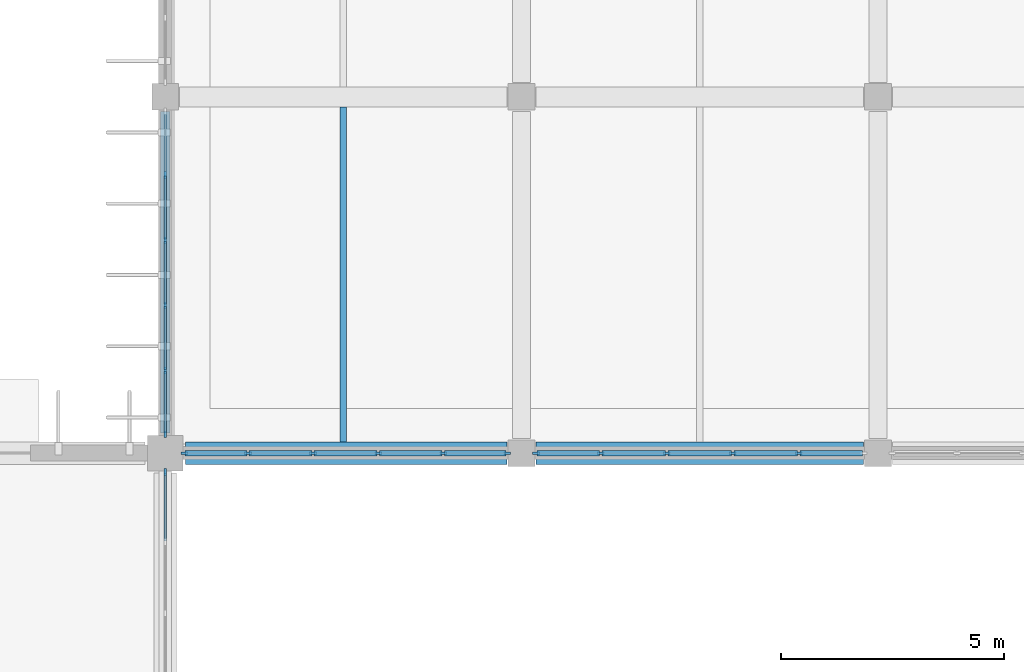
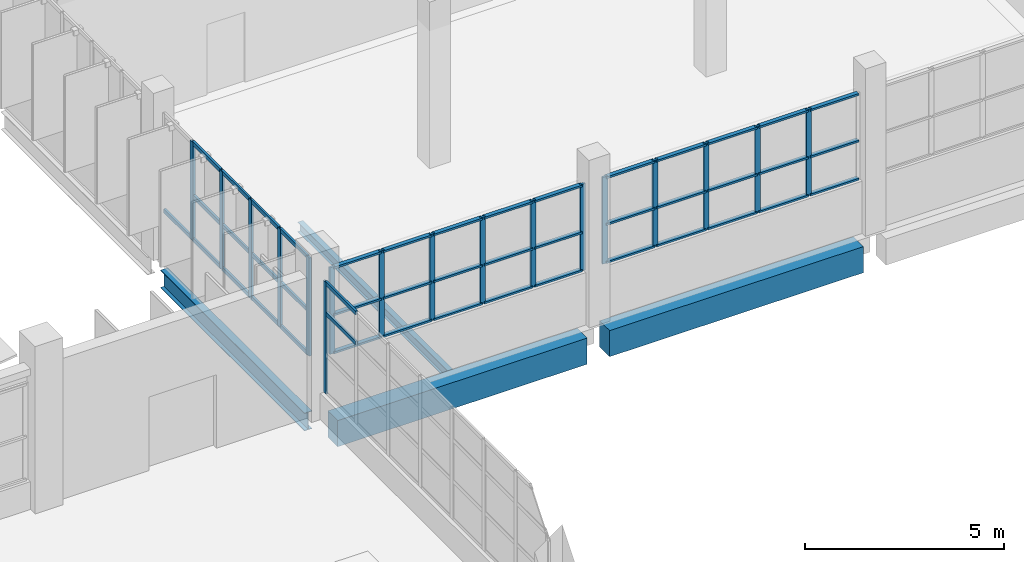
# One storey, part 34 of 103: 62 members, 4 beams, 4 elements without a shape of their own.
"""IFC4 building model written with IfcOpenShell, lengths in metres."""

from ifc_helpers import new_model, si_unit, direction, frame, origin, origin_2d, place, context, subcontext, project, spatial, rectangle, i_section, extrude, material, layer, layer_set, material_profile, profile_set, type_object, element, aggregate, save


model = new_model("IFC4")

# Units and contexts
model_context = context("Model", 3, precision=1e-05, world=origin(), true_north=direction((0.0, 1.0)))
body_context = subcontext(model_context, "Body", "Model", "MODEL_VIEW")
ifc_project = project(units=[si_unit("LENGTHUNIT", "METRE"), si_unit("AREAUNIT", "SQUARE_METRE"), si_unit("VOLUMEUNIT", "CUBIC_METRE"), si_unit("PLANEANGLEUNIT", "RADIAN"), si_unit("MASSUNIT", "GRAM", prefix="KILO")], contexts=[model_context])

# Site, building, storey
site_placement = place(None, origin())
site = spatial("IfcSite", under=ifc_project, at=site_placement, CompositionType="ELEMENT")
building_placement = place(site_placement, origin())
building = spatial("IfcBuilding", under=site, at=building_placement, Name="Drelvana Railside Aquatics Centre", CompositionType="ELEMENT")
storey_placement = place(building_placement, origin())
storey = spatial("IfcBuildingStorey", under=building, at=storey_placement, Name="L00", CompositionType="ELEMENT", Elevation=0.0)

# Curtain wall, member
ifc_material_1 = material(Name="Bronze-anodised aluminium curtain wall", Category="aluminium")
ifc_layer = layer(ifc_material_1, 0.1650390625, Name="Bronze-anodised aluminium curtain wall")
ifc_layer_set = layer_set([ifc_layer], Name="Bronze-anodised aluminium curtain wall")
curtain_wall_type = type_object("IfcCurtainWallType", Name="CW-Z5-COURT", PredefinedType="NOTDEFINED", material=ifc_layer_set)
curtain_wall_1_placement = place(storey_placement, origin())
curtain_wall_1 = element("IfcCurtainWall", 1, at=curtain_wall_1_placement, inside=storey, type_object=curtain_wall_type, Name="Curtain wall CW-05-078", PredefinedType="NOTDEFINED")
ifc_material_2 = material(Name="Bronze-anodised aluminium 6063-T6", Category="aluminium")
ifc_material_profile_1 = material_profile(ifc_material_2, rectangle(XDim=0.06005859375, YDim=0.14990234375, at=origin_2d()), Name="ALU-M 60x150")
ifc_profile_set_1 = profile_set([ifc_material_profile_1], Name="Bronze-anodised aluminium 6063-T6")
member_type_1 = type_object("IfcMemberType", Name="CW-Z5-COURT-MUL", PredefinedType="MULLION", material=ifc_profile_set_1)
member_1_placement = place(storey_placement, frame((96.0, 83.575927734375, 0.7939453125), z_axis=(0.0, 0.0, 1.0), x_axis=(-1.0, 0.0, 0.0)))
member_1 = element("IfcMember", 2, at=member_1_placement, type_object=member_type_1, Name="CW-05 mullion 8", PredefinedType="MULLION", context=body_context, shape_type="SweptSolid", body=[
    extrude(rectangle(XDim=0.06005859375, YDim=0.14990234375, at=origin_2d()), origin(), (0.0, 0.0, 1.0), 3.4111328125),
])

# Curtain wall, members
curtain_wall_2_placement = place(storey_placement, origin())
curtain_wall_2 = element("IfcCurtainWall", 3, at=curtain_wall_2_placement, inside=storey, type_object=curtain_wall_type, Name="Curtain wall CW-05-115", PredefinedType="NOTDEFINED")
member_2_placement = place(storey_placement, frame((96.424072265625, 84.0, 1.593994140625), z_axis=(0.0, 0.0, 1.0), x_axis=(0.0, 1.0, 0.0)))
member_2 = element("IfcMember", 4, at=member_2_placement, type_object=member_type_1, Name="CW-05 mullion 1", PredefinedType="MULLION", context=body_context, shape_type="SweptSolid", body=[
    extrude(rectangle(XDim=0.06005859375, YDim=0.14990234375, at=origin_2d()), origin(), (0.0, 0.0, 1.0), 2.656005859375),
])
member_3_placement = place(storey_placement, frame((97.8564453125, 84.0, 1.593994140625), z_axis=(0.0, 0.0, 1.0), x_axis=(0.0, 1.0, 0.0)))
member_3 = element("IfcMember", 5, at=member_3_placement, type_object=member_type_1, Name="CW-05 mullion 2", PredefinedType="MULLION", context=body_context, shape_type="SweptSolid", body=[
    extrude(rectangle(XDim=0.06005859375, YDim=0.14990234375, at=origin_2d()), origin(), (0.0, 0.0, 1.0), 2.656005859375),
])
member_4_placement = place(storey_placement, frame((99.31884765625, 84.0, 1.593994140625), z_axis=(0.0, 0.0, 1.0), x_axis=(0.0, 1.0, 0.0)))
member_4 = element("IfcMember", 6, at=member_4_placement, type_object=member_type_1, Name="CW-05 mullion 3", PredefinedType="MULLION", context=body_context, shape_type="SweptSolid", body=[
    extrude(rectangle(XDim=0.06005859375, YDim=0.14990234375, at=origin_2d()), origin(), (0.0, 0.0, 1.0), 2.656005859375),
])
member_5_placement = place(storey_placement, frame((100.78125, 84.0, 1.593994140625), z_axis=(0.0, 0.0, 1.0), x_axis=(0.0, 1.0, 0.0)))
member_5 = element("IfcMember", 7, at=member_5_placement, type_object=member_type_1, Name="CW-05 mullion 4", PredefinedType="MULLION", context=body_context, shape_type="SweptSolid", body=[
    extrude(rectangle(XDim=0.06005859375, YDim=0.14990234375, at=origin_2d()), origin(), (0.0, 0.0, 1.0), 2.656005859375),
])
member_6_placement = place(storey_placement, frame((102.24365234375, 84.0, 1.593994140625), z_axis=(0.0, 0.0, 1.0), x_axis=(0.0, 1.0, 0.0)))
member_6 = element("IfcMember", 8, at=member_6_placement, type_object=member_type_1, Name="CW-05 mullion 5", PredefinedType="MULLION", context=body_context, shape_type="SweptSolid", body=[
    extrude(rectangle(XDim=0.06005859375, YDim=0.14990234375, at=origin_2d()), origin(), (0.0, 0.0, 1.0), 2.656005859375),
])
member_7_placement = place(storey_placement, frame((103.676025390625, 84.0, 1.593994140625), z_axis=(0.0, 0.0, 1.0), x_axis=(0.0, 1.0, 0.0)))
member_7 = element("IfcMember", 9, at=member_7_placement, type_object=member_type_1, Name="CW-05 mullion 6", PredefinedType="MULLION", context=body_context, shape_type="SweptSolid", body=[
    extrude(rectangle(XDim=0.06005859375, YDim=0.14990234375, at=origin_2d()), origin(), (0.0, 0.0, 1.0), 2.656005859375),
])

curtain_wall_3_placement = place(storey_placement, origin())
curtain_wall_3 = element("IfcCurtainWall", 10, at=curtain_wall_3_placement, inside=storey, type_object=curtain_wall_type, Name="Curtain wall CW-05-117", PredefinedType="NOTDEFINED")
member_8_placement = place(storey_placement, frame((104.323974609375, 84.0, 1.593994140625), z_axis=(0.0, 0.0, 1.0), x_axis=(0.0, 1.0, 0.0)))
member_8 = element("IfcMember", 11, at=member_8_placement, type_object=member_type_1, Name="CW-05 mullion 1", PredefinedType="MULLION", context=body_context, shape_type="SweptSolid", body=[
    extrude(rectangle(XDim=0.06005859375, YDim=0.14990234375, at=origin_2d()), origin(), (0.0, 0.0, 1.0), 2.656005859375),
])
member_9_placement = place(storey_placement, frame((105.7763671875, 84.0, 1.593994140625), z_axis=(0.0, 0.0, 1.0), x_axis=(0.0, 1.0, 0.0)))
member_9 = element("IfcMember", 12, at=member_9_placement, type_object=member_type_1, Name="CW-05 mullion 2", PredefinedType="MULLION", context=body_context, shape_type="SweptSolid", body=[
    extrude(rectangle(XDim=0.06005859375, YDim=0.14990234375, at=origin_2d()), origin(), (0.0, 0.0, 1.0), 2.656005859375),
])
member_10_placement = place(storey_placement, frame((107.2587890625, 84.0, 1.593994140625), z_axis=(0.0, 0.0, 1.0), x_axis=(0.0, 1.0, 0.0)))
member_10 = element("IfcMember", 13, at=member_10_placement, type_object=member_type_1, Name="CW-05 mullion 3", PredefinedType="MULLION", context=body_context, shape_type="SweptSolid", body=[
    extrude(rectangle(XDim=0.06005859375, YDim=0.14990234375, at=origin_2d()), origin(), (0.0, 0.0, 1.0), 2.656005859375),
])
member_11_placement = place(storey_placement, frame((108.7412109375, 84.0, 1.593994140625), z_axis=(0.0, 0.0, 1.0), x_axis=(0.0, 1.0, 0.0)))
member_11 = element("IfcMember", 14, at=member_11_placement, type_object=member_type_1, Name="CW-05 mullion 4", PredefinedType="MULLION", context=body_context, shape_type="SweptSolid", body=[
    extrude(rectangle(XDim=0.06005859375, YDim=0.14990234375, at=origin_2d()), origin(), (0.0, 0.0, 1.0), 2.656005859375),
])
member_12_placement = place(storey_placement, frame((110.2236328125, 84.0, 1.593994140625), z_axis=(0.0, 0.0, 1.0), x_axis=(0.0, 1.0, 0.0)))
member_12 = element("IfcMember", 15, at=member_12_placement, type_object=member_type_1, Name="CW-05 mullion 5", PredefinedType="MULLION", context=body_context, shape_type="SweptSolid", body=[
    extrude(rectangle(XDim=0.06005859375, YDim=0.14990234375, at=origin_2d()), origin(), (0.0, 0.0, 1.0), 2.656005859375),
])

curtain_wall_4_placement = place(storey_placement, origin())
curtain_wall_4 = element("IfcCurtainWall", 16, at=curtain_wall_4_placement, inside=storey, type_object=curtain_wall_type, Name="Curtain wall CW-05-127", PredefinedType="NOTDEFINED")
member_13_placement = place(storey_placement, frame((96.0, 84.424072265625, 1.444091796875), z_axis=(0.0, 0.0, 1.0), x_axis=(-1.0, 0.0, 0.0)))
member_13 = element("IfcMember", 17, at=member_13_placement, type_object=member_type_1, Name="CW-05 mullion 1", PredefinedType="MULLION", context=body_context, shape_type="SweptSolid", body=[
    extrude(rectangle(XDim=0.06005859375, YDim=0.14990234375, at=origin_2d()), origin(), (0.0, 0.0, 1.0), 3.005859375),
])
member_14_placement = place(storey_placement, frame((96.0, 85.8564453125, 1.444091796875), z_axis=(0.0, 0.0, 1.0), x_axis=(-1.0, 0.0, 0.0)))
member_14 = element("IfcMember", 18, at=member_14_placement, type_object=member_type_1, Name="CW-05 mullion 2", PredefinedType="MULLION", context=body_context, shape_type="SweptSolid", body=[
    extrude(rectangle(XDim=0.06005859375, YDim=0.14990234375, at=origin_2d()), origin(), (0.0, 0.0, 1.0), 3.005859375),
])
member_15_placement = place(storey_placement, frame((96.0, 87.31884765625, 1.444091796875), z_axis=(0.0, 0.0, 1.0), x_axis=(-1.0, 0.0, 0.0)))
member_15 = element("IfcMember", 19, at=member_15_placement, type_object=member_type_1, Name="CW-05 mullion 3", PredefinedType="MULLION", context=body_context, shape_type="SweptSolid", body=[
    extrude(rectangle(XDim=0.06005859375, YDim=0.14990234375, at=origin_2d()), origin(), (0.0, 0.0, 1.0), 3.005859375),
])
member_16_placement = place(storey_placement, frame((96.0, 88.78125, 1.444091796875), z_axis=(0.0, 0.0, 1.0), x_axis=(-1.0, 0.0, 0.0)))
member_16 = element("IfcMember", 20, at=member_16_placement, type_object=member_type_1, Name="CW-05 mullion 4", PredefinedType="MULLION", context=body_context, shape_type="SweptSolid", body=[
    extrude(rectangle(XDim=0.06005859375, YDim=0.14990234375, at=origin_2d()), origin(), (0.0, 0.0, 1.0), 3.005859375),
])
member_17_placement = place(storey_placement, frame((96.0, 90.24365234375, 1.444091796875), z_axis=(0.0, 0.0, 1.0), x_axis=(-1.0, 0.0, 0.0)))
member_17 = element("IfcMember", 21, at=member_17_placement, type_object=member_type_1, Name="CW-05 mullion 5", PredefinedType="MULLION", context=body_context, shape_type="SweptSolid", body=[
    extrude(rectangle(XDim=0.06005859375, YDim=0.14990234375, at=origin_2d()), origin(), (0.0, 0.0, 1.0), 3.005859375),
])

# Member
ifc_material_profile_2 = material_profile(ifc_material_2, rectangle(XDim=0.1201171875, YDim=0.06005859375, at=origin_2d()), Name="ALU-T 60x120")
ifc_profile_set_2 = profile_set([ifc_material_profile_2], Name="Bronze-anodised aluminium 6063-T6")
member_type_2 = type_object("IfcMemberType", Name="CW-Z5-COURT-TRN", PredefinedType="USERDEFINED", material=ifc_profile_set_2)
member_18_placement = place(storey_placement, frame((96.0, 82.029296875, 3.25), z_axis=(0.0, 1.0, 0.0), x_axis=(0.0, 0.0, 1.0)))
member_18 = element("IfcMember", 22, at=member_18_placement, type_object=member_type_2, Name="CW-05 transom 7.3", ObjectType="TRANSOM", PredefinedType="USERDEFINED", context=body_context, shape_type="SweptSolid", body=[
    extrude(rectangle(XDim=0.1201171875, YDim=0.06005859375, at=origin_2d()), origin(), (0.0, 0.0, 1.0), 1.521728515625),
])

member_19_placement = place(storey_placement, frame((96.0, 82.029296875, 4.175048828125), z_axis=(0.0, 1.0, 0.0), x_axis=(0.0, 0.0, 1.0)))
member_19 = element("IfcMember", 23, at=member_19_placement, type_object=member_type_2, Name="CW-05 transom 7.4", ObjectType="TRANSOM", PredefinedType="USERDEFINED", context=body_context, shape_type="SweptSolid", body=[
    extrude(rectangle(XDim=0.1201171875, YDim=0.06005859375, at=origin_2d()), origin(), (0.0, 0.0, 1.0), 1.521728515625),
])

aggregate(curtain_wall_1, [member_1, member_18, member_19])

member_20_placement = place(storey_placement, frame((96.448974609375, 84.0, 1.6240234375), z_axis=(1.0, 0.0, 0.0), x_axis=(0.0, 1.0, 0.0)))
member_20 = element("IfcMember", 24, at=member_20_placement, type_object=member_type_2, Name="CW-05 transom 1.1", ObjectType="TRANSOM", PredefinedType="USERDEFINED", context=body_context, shape_type="SweptSolid", body=[
    extrude(rectangle(XDim=0.1201171875, YDim=0.06005859375, at=origin_2d()), origin(), (0.0, 0.0, 1.0), 1.38232421875),
])

member_21_placement = place(storey_placement, frame((96.448974609375, 84.0, 2.7890625), z_axis=(1.0, 0.0, 0.0), x_axis=(0.0, 1.0, 0.0)))
member_21 = element("IfcMember", 25, at=member_21_placement, type_object=member_type_2, Name="CW-05 transom 1.2", ObjectType="TRANSOM", PredefinedType="USERDEFINED", context=body_context, shape_type="SweptSolid", body=[
    extrude(rectangle(XDim=0.1201171875, YDim=0.06005859375, at=origin_2d()), origin(), (0.0, 0.0, 1.0), 1.38232421875),
])

member_22_placement = place(storey_placement, frame((96.448974609375, 84.0, 4.219970703125), z_axis=(1.0, 0.0, 0.0), x_axis=(0.0, 1.0, 0.0)))
member_22 = element("IfcMember", 26, at=member_22_placement, type_object=member_type_2, Name="CW-05 transom 1.3", ObjectType="TRANSOM", PredefinedType="USERDEFINED", context=body_context, shape_type="SweptSolid", body=[
    extrude(rectangle(XDim=0.1201171875, YDim=0.06005859375, at=origin_2d()), origin(), (0.0, 0.0, 1.0), 1.38232421875),
])

member_23_placement = place(storey_placement, frame((97.88134765625, 84.0, 1.6240234375), z_axis=(1.0, 0.0, 0.0), x_axis=(0.0, 1.0, 0.0)))
member_23 = element("IfcMember", 27, at=member_23_placement, type_object=member_type_2, Name="CW-05 transom 2.1", ObjectType="TRANSOM", PredefinedType="USERDEFINED", context=body_context, shape_type="SweptSolid", body=[
    extrude(rectangle(XDim=0.1201171875, YDim=0.06005859375, at=origin_2d()), origin(), (0.0, 0.0, 1.0), 1.412353515625),
])

member_24_placement = place(storey_placement, frame((97.88134765625, 84.0, 2.7890625), z_axis=(1.0, 0.0, 0.0), x_axis=(0.0, 1.0, 0.0)))
member_24 = element("IfcMember", 28, at=member_24_placement, type_object=member_type_2, Name="CW-05 transom 2.2", ObjectType="TRANSOM", PredefinedType="USERDEFINED", context=body_context, shape_type="SweptSolid", body=[
    extrude(rectangle(XDim=0.1201171875, YDim=0.06005859375, at=origin_2d()), origin(), (0.0, 0.0, 1.0), 1.412353515625),
])

member_25_placement = place(storey_placement, frame((97.88134765625, 84.0, 4.219970703125), z_axis=(1.0, 0.0, 0.0), x_axis=(0.0, 1.0, 0.0)))
member_25 = element("IfcMember", 29, at=member_25_placement, type_object=member_type_2, Name="CW-05 transom 2.3", ObjectType="TRANSOM", PredefinedType="USERDEFINED", context=body_context, shape_type="SweptSolid", body=[
    extrude(rectangle(XDim=0.1201171875, YDim=0.06005859375, at=origin_2d()), origin(), (0.0, 0.0, 1.0), 1.412353515625),
])

member_26_placement = place(storey_placement, frame((99.34375, 84.0, 1.6240234375), z_axis=(1.0, 0.0, 0.0), x_axis=(0.0, 1.0, 0.0)))
member_26 = element("IfcMember", 30, at=member_26_placement, type_object=member_type_2, Name="CW-05 transom 3.1", ObjectType="TRANSOM", PredefinedType="USERDEFINED", context=body_context, shape_type="SweptSolid", body=[
    extrude(rectangle(XDim=0.1201171875, YDim=0.06005859375, at=origin_2d()), origin(), (0.0, 0.0, 1.0), 1.412353515625),
])

member_27_placement = place(storey_placement, frame((99.34375, 84.0, 2.7890625), z_axis=(1.0, 0.0, 0.0), x_axis=(0.0, 1.0, 0.0)))
member_27 = element("IfcMember", 31, at=member_27_placement, type_object=member_type_2, Name="CW-05 transom 3.2", ObjectType="TRANSOM", PredefinedType="USERDEFINED", context=body_context, shape_type="SweptSolid", body=[
    extrude(rectangle(XDim=0.1201171875, YDim=0.06005859375, at=origin_2d()), origin(), (0.0, 0.0, 1.0), 1.412353515625),
])

member_28_placement = place(storey_placement, frame((99.34375, 84.0, 4.219970703125), z_axis=(1.0, 0.0, 0.0), x_axis=(0.0, 1.0, 0.0)))
member_28 = element("IfcMember", 32, at=member_28_placement, type_object=member_type_2, Name="CW-05 transom 3.3", ObjectType="TRANSOM", PredefinedType="USERDEFINED", context=body_context, shape_type="SweptSolid", body=[
    extrude(rectangle(XDim=0.1201171875, YDim=0.06005859375, at=origin_2d()), origin(), (0.0, 0.0, 1.0), 1.412353515625),
])

member_29_placement = place(storey_placement, frame((100.80615234375, 84.0, 1.6240234375), z_axis=(1.0, 0.0, 0.0), x_axis=(0.0, 1.0, 0.0)))
member_29 = element("IfcMember", 33, at=member_29_placement, type_object=member_type_2, Name="CW-05 transom 4.1", ObjectType="TRANSOM", PredefinedType="USERDEFINED", context=body_context, shape_type="SweptSolid", body=[
    extrude(rectangle(XDim=0.1201171875, YDim=0.06005859375, at=origin_2d()), origin(), (0.0, 0.0, 1.0), 1.412353515625),
])

member_30_placement = place(storey_placement, frame((100.80615234375, 84.0, 2.7890625), z_axis=(1.0, 0.0, 0.0), x_axis=(0.0, 1.0, 0.0)))
member_30 = element("IfcMember", 34, at=member_30_placement, type_object=member_type_2, Name="CW-05 transom 4.2", ObjectType="TRANSOM", PredefinedType="USERDEFINED", context=body_context, shape_type="SweptSolid", body=[
    extrude(rectangle(XDim=0.1201171875, YDim=0.06005859375, at=origin_2d()), origin(), (0.0, 0.0, 1.0), 1.412353515625),
])

member_31_placement = place(storey_placement, frame((100.80615234375, 84.0, 4.219970703125), z_axis=(1.0, 0.0, 0.0), x_axis=(0.0, 1.0, 0.0)))
member_31 = element("IfcMember", 35, at=member_31_placement, type_object=member_type_2, Name="CW-05 transom 4.3", ObjectType="TRANSOM", PredefinedType="USERDEFINED", context=body_context, shape_type="SweptSolid", body=[
    extrude(rectangle(XDim=0.1201171875, YDim=0.06005859375, at=origin_2d()), origin(), (0.0, 0.0, 1.0), 1.412353515625),
])

member_32_placement = place(storey_placement, frame((102.2685546875, 84.0, 1.6240234375), z_axis=(1.0, 0.0, 0.0), x_axis=(0.0, 1.0, 0.0)))
member_32 = element("IfcMember", 36, at=member_32_placement, type_object=member_type_2, Name="CW-05 transom 5.1", ObjectType="TRANSOM", PredefinedType="USERDEFINED", context=body_context, shape_type="SweptSolid", body=[
    extrude(rectangle(XDim=0.1201171875, YDim=0.06005859375, at=origin_2d()), origin(), (0.0, 0.0, 1.0), 1.38232421875),
])

member_33_placement = place(storey_placement, frame((102.2685546875, 84.0, 2.7890625), z_axis=(1.0, 0.0, 0.0), x_axis=(0.0, 1.0, 0.0)))
member_33 = element("IfcMember", 37, at=member_33_placement, type_object=member_type_2, Name="CW-05 transom 5.2", ObjectType="TRANSOM", PredefinedType="USERDEFINED", context=body_context, shape_type="SweptSolid", body=[
    extrude(rectangle(XDim=0.1201171875, YDim=0.06005859375, at=origin_2d()), origin(), (0.0, 0.0, 1.0), 1.38232421875),
])

member_34_placement = place(storey_placement, frame((102.2685546875, 84.0, 4.219970703125), z_axis=(1.0, 0.0, 0.0), x_axis=(0.0, 1.0, 0.0)))
member_34 = element("IfcMember", 38, at=member_34_placement, type_object=member_type_2, Name="CW-05 transom 5.3", ObjectType="TRANSOM", PredefinedType="USERDEFINED", context=body_context, shape_type="SweptSolid", body=[
    extrude(rectangle(XDim=0.1201171875, YDim=0.06005859375, at=origin_2d()), origin(), (0.0, 0.0, 1.0), 1.38232421875),
])

aggregate(curtain_wall_2, [member_2, member_3, member_4, member_5, member_6, member_7, member_20, member_21, member_22, member_23, member_24, member_25, member_26, member_27, member_28, member_29, member_30, member_31, member_32, member_33, member_34])

member_35_placement = place(storey_placement, frame((104.34912109375, 84.0, 1.6240234375), z_axis=(1.0, 0.0, 0.0), x_axis=(0.0, 1.0, 0.0)))
member_35 = element("IfcMember", 39, at=member_35_placement, type_object=member_type_2, Name="CW-05 transom 1.1", ObjectType="TRANSOM", PredefinedType="USERDEFINED", context=body_context, shape_type="SweptSolid", body=[
    extrude(rectangle(XDim=0.1201171875, YDim=0.06005859375, at=origin_2d()), origin(), (0.0, 0.0, 1.0), 1.40234375),
])

member_36_placement = place(storey_placement, frame((104.34912109375, 84.0, 2.7890625), z_axis=(1.0, 0.0, 0.0), x_axis=(0.0, 1.0, 0.0)))
member_36 = element("IfcMember", 40, at=member_36_placement, type_object=member_type_2, Name="CW-05 transom 1.2", ObjectType="TRANSOM", PredefinedType="USERDEFINED", context=body_context, shape_type="SweptSolid", body=[
    extrude(rectangle(XDim=0.1201171875, YDim=0.06005859375, at=origin_2d()), origin(), (0.0, 0.0, 1.0), 1.40234375),
])

member_37_placement = place(storey_placement, frame((104.34912109375, 84.0, 4.219970703125), z_axis=(1.0, 0.0, 0.0), x_axis=(0.0, 1.0, 0.0)))
member_37 = element("IfcMember", 41, at=member_37_placement, type_object=member_type_2, Name="CW-05 transom 1.3", ObjectType="TRANSOM", PredefinedType="USERDEFINED", context=body_context, shape_type="SweptSolid", body=[
    extrude(rectangle(XDim=0.1201171875, YDim=0.06005859375, at=origin_2d()), origin(), (0.0, 0.0, 1.0), 1.40234375),
])

member_38_placement = place(storey_placement, frame((105.801513671875, 84.0, 1.6240234375), z_axis=(1.0, 0.0, 0.0), x_axis=(0.0, 1.0, 0.0)))
member_38 = element("IfcMember", 42, at=member_38_placement, type_object=member_type_2, Name="CW-05 transom 2.1", ObjectType="TRANSOM", PredefinedType="USERDEFINED", context=body_context, shape_type="SweptSolid", body=[
    extrude(rectangle(XDim=0.1201171875, YDim=0.06005859375, at=origin_2d()), origin(), (0.0, 0.0, 1.0), 1.432373046875),
])

member_39_placement = place(storey_placement, frame((105.801513671875, 84.0, 2.7890625), z_axis=(1.0, 0.0, 0.0), x_axis=(0.0, 1.0, 0.0)))
member_39 = element("IfcMember", 43, at=member_39_placement, type_object=member_type_2, Name="CW-05 transom 2.2", ObjectType="TRANSOM", PredefinedType="USERDEFINED", context=body_context, shape_type="SweptSolid", body=[
    extrude(rectangle(XDim=0.1201171875, YDim=0.06005859375, at=origin_2d()), origin(), (0.0, 0.0, 1.0), 1.432373046875),
])

member_40_placement = place(storey_placement, frame((105.801513671875, 84.0, 4.219970703125), z_axis=(1.0, 0.0, 0.0), x_axis=(0.0, 1.0, 0.0)))
member_40 = element("IfcMember", 44, at=member_40_placement, type_object=member_type_2, Name="CW-05 transom 2.3", ObjectType="TRANSOM", PredefinedType="USERDEFINED", context=body_context, shape_type="SweptSolid", body=[
    extrude(rectangle(XDim=0.1201171875, YDim=0.06005859375, at=origin_2d()), origin(), (0.0, 0.0, 1.0), 1.432373046875),
])

member_41_placement = place(storey_placement, frame((107.28369140625, 84.0, 1.6240234375), z_axis=(1.0, 0.0, 0.0), x_axis=(0.0, 1.0, 0.0)))
member_41 = element("IfcMember", 45, at=member_41_placement, type_object=member_type_2, Name="CW-05 transom 3.1", ObjectType="TRANSOM", PredefinedType="USERDEFINED", context=body_context, shape_type="SweptSolid", body=[
    extrude(rectangle(XDim=0.1201171875, YDim=0.06005859375, at=origin_2d()), origin(), (0.0, 0.0, 1.0), 1.4326171875),
])

member_42_placement = place(storey_placement, frame((107.28369140625, 84.0, 2.7890625), z_axis=(1.0, 0.0, 0.0), x_axis=(0.0, 1.0, 0.0)))
member_42 = element("IfcMember", 46, at=member_42_placement, type_object=member_type_2, Name="CW-05 transom 3.2", ObjectType="TRANSOM", PredefinedType="USERDEFINED", context=body_context, shape_type="SweptSolid", body=[
    extrude(rectangle(XDim=0.1201171875, YDim=0.06005859375, at=origin_2d()), origin(), (0.0, 0.0, 1.0), 1.4326171875),
])

member_43_placement = place(storey_placement, frame((107.28369140625, 84.0, 4.219970703125), z_axis=(1.0, 0.0, 0.0), x_axis=(0.0, 1.0, 0.0)))
member_43 = element("IfcMember", 47, at=member_43_placement, type_object=member_type_2, Name="CW-05 transom 3.3", ObjectType="TRANSOM", PredefinedType="USERDEFINED", context=body_context, shape_type="SweptSolid", body=[
    extrude(rectangle(XDim=0.1201171875, YDim=0.06005859375, at=origin_2d()), origin(), (0.0, 0.0, 1.0), 1.4326171875),
])

member_44_placement = place(storey_placement, frame((108.76611328125, 84.0, 1.6240234375), z_axis=(1.0, 0.0, 0.0), x_axis=(0.0, 1.0, 0.0)))
member_44 = element("IfcMember", 48, at=member_44_placement, type_object=member_type_2, Name="CW-05 transom 4.1", ObjectType="TRANSOM", PredefinedType="USERDEFINED", context=body_context, shape_type="SweptSolid", body=[
    extrude(rectangle(XDim=0.1201171875, YDim=0.06005859375, at=origin_2d()), origin(), (0.0, 0.0, 1.0), 1.432373046875),
])

member_45_placement = place(storey_placement, frame((108.76611328125, 84.0, 2.7890625), z_axis=(1.0, 0.0, 0.0), x_axis=(0.0, 1.0, 0.0)))
member_45 = element("IfcMember", 49, at=member_45_placement, type_object=member_type_2, Name="CW-05 transom 4.2", ObjectType="TRANSOM", PredefinedType="USERDEFINED", context=body_context, shape_type="SweptSolid", body=[
    extrude(rectangle(XDim=0.1201171875, YDim=0.06005859375, at=origin_2d()), origin(), (0.0, 0.0, 1.0), 1.432373046875),
])

member_46_placement = place(storey_placement, frame((108.76611328125, 84.0, 4.219970703125), z_axis=(1.0, 0.0, 0.0), x_axis=(0.0, 1.0, 0.0)))
member_46 = element("IfcMember", 50, at=member_46_placement, type_object=member_type_2, Name="CW-05 transom 4.3", ObjectType="TRANSOM", PredefinedType="USERDEFINED", context=body_context, shape_type="SweptSolid", body=[
    extrude(rectangle(XDim=0.1201171875, YDim=0.06005859375, at=origin_2d()), origin(), (0.0, 0.0, 1.0), 1.432373046875),
])

member_47_placement = place(storey_placement, frame((110.24853515625, 84.0, 1.6240234375), z_axis=(1.0, 0.0, 0.0), x_axis=(0.0, 1.0, 0.0)))
member_47 = element("IfcMember", 51, at=member_47_placement, type_object=member_type_2, Name="CW-05 transom 5.1", ObjectType="TRANSOM", PredefinedType="USERDEFINED", context=body_context, shape_type="SweptSolid", body=[
    extrude(rectangle(XDim=0.1201171875, YDim=0.06005859375, at=origin_2d()), origin(), (0.0, 0.0, 1.0), 1.40234375),
])

member_48_placement = place(storey_placement, frame((110.24853515625, 84.0, 2.7890625), z_axis=(1.0, 0.0, 0.0), x_axis=(0.0, 1.0, 0.0)))
member_48 = element("IfcMember", 52, at=member_48_placement, type_object=member_type_2, Name="CW-05 transom 5.2", ObjectType="TRANSOM", PredefinedType="USERDEFINED", context=body_context, shape_type="SweptSolid", body=[
    extrude(rectangle(XDim=0.1201171875, YDim=0.06005859375, at=origin_2d()), origin(), (0.0, 0.0, 1.0), 1.40234375),
])

member_49_placement = place(storey_placement, frame((110.24853515625, 84.0, 4.219970703125), z_axis=(1.0, 0.0, 0.0), x_axis=(0.0, 1.0, 0.0)))
member_49 = element("IfcMember", 53, at=member_49_placement, type_object=member_type_2, Name="CW-05 transom 5.3", ObjectType="TRANSOM", PredefinedType="USERDEFINED", context=body_context, shape_type="SweptSolid", body=[
    extrude(rectangle(XDim=0.1201171875, YDim=0.06005859375, at=origin_2d()), origin(), (0.0, 0.0, 1.0), 1.40234375),
])

aggregate(curtain_wall_3, [member_8, member_9, member_10, member_11, member_12, member_35, member_36, member_37, member_38, member_39, member_40, member_41, member_42, member_43, member_44, member_45, member_46, member_47, member_48, member_49])

member_50_placement = place(storey_placement, frame((96.0, 84.448974609375, 1.47412109375), z_axis=(0.0, 1.0, 0.0), x_axis=(0.0, 0.0, 1.0)))
member_50 = element("IfcMember", 54, at=member_50_placement, type_object=member_type_2, Name="CW-05 transom 1.1", ObjectType="TRANSOM", PredefinedType="USERDEFINED", context=body_context, shape_type="SweptSolid", body=[
    extrude(rectangle(XDim=0.1201171875, YDim=0.06005859375, at=origin_2d()), origin(), (0.0, 0.0, 1.0), 1.38232421875),
])

member_51_placement = place(storey_placement, frame((96.0, 84.448974609375, 2.797119140625), z_axis=(0.0, 1.0, 0.0), x_axis=(0.0, 0.0, 1.0)))
member_51 = element("IfcMember", 55, at=member_51_placement, type_object=member_type_2, Name="CW-05 transom 1.2", ObjectType="TRANSOM", PredefinedType="USERDEFINED", context=body_context, shape_type="SweptSolid", body=[
    extrude(rectangle(XDim=0.1201171875, YDim=0.06005859375, at=origin_2d()), origin(), (0.0, 0.0, 1.0), 1.38232421875),
])

member_52_placement = place(storey_placement, frame((96.0, 84.448974609375, 4.419921875), z_axis=(0.0, 1.0, 0.0), x_axis=(0.0, 0.0, 1.0)))
member_52 = element("IfcMember", 56, at=member_52_placement, type_object=member_type_2, Name="CW-05 transom 1.3", ObjectType="TRANSOM", PredefinedType="USERDEFINED", context=body_context, shape_type="SweptSolid", body=[
    extrude(rectangle(XDim=0.1201171875, YDim=0.06005859375, at=origin_2d()), origin(), (0.0, 0.0, 1.0), 1.38232421875),
])

member_53_placement = place(storey_placement, frame((96.0, 85.88134765625, 1.47412109375), z_axis=(0.0, 1.0, 0.0), x_axis=(0.0, 0.0, 1.0)))
member_53 = element("IfcMember", 57, at=member_53_placement, type_object=member_type_2, Name="CW-05 transom 2.1", ObjectType="TRANSOM", PredefinedType="USERDEFINED", context=body_context, shape_type="SweptSolid", body=[
    extrude(rectangle(XDim=0.1201171875, YDim=0.06005859375, at=origin_2d()), origin(), (0.0, 0.0, 1.0), 1.412353515625),
])

member_54_placement = place(storey_placement, frame((96.0, 85.88134765625, 2.797119140625), z_axis=(0.0, 1.0, 0.0), x_axis=(0.0, 0.0, 1.0)))
member_54 = element("IfcMember", 58, at=member_54_placement, type_object=member_type_2, Name="CW-05 transom 2.2", ObjectType="TRANSOM", PredefinedType="USERDEFINED", context=body_context, shape_type="SweptSolid", body=[
    extrude(rectangle(XDim=0.1201171875, YDim=0.06005859375, at=origin_2d()), origin(), (0.0, 0.0, 1.0), 1.412353515625),
])

member_55_placement = place(storey_placement, frame((96.0, 85.88134765625, 4.419921875), z_axis=(0.0, 1.0, 0.0), x_axis=(0.0, 0.0, 1.0)))
member_55 = element("IfcMember", 59, at=member_55_placement, type_object=member_type_2, Name="CW-05 transom 2.3", ObjectType="TRANSOM", PredefinedType="USERDEFINED", context=body_context, shape_type="SweptSolid", body=[
    extrude(rectangle(XDim=0.1201171875, YDim=0.06005859375, at=origin_2d()), origin(), (0.0, 0.0, 1.0), 1.412353515625),
])

member_56_placement = place(storey_placement, frame((96.0, 87.34375, 1.47412109375), z_axis=(0.0, 1.0, 0.0), x_axis=(0.0, 0.0, 1.0)))
member_56 = element("IfcMember", 60, at=member_56_placement, type_object=member_type_2, Name="CW-05 transom 3.1", ObjectType="TRANSOM", PredefinedType="USERDEFINED", context=body_context, shape_type="SweptSolid", body=[
    extrude(rectangle(XDim=0.1201171875, YDim=0.06005859375, at=origin_2d()), origin(), (0.0, 0.0, 1.0), 1.412353515625),
])

member_57_placement = place(storey_placement, frame((96.0, 87.34375, 2.797119140625), z_axis=(0.0, 1.0, 0.0), x_axis=(0.0, 0.0, 1.0)))
member_57 = element("IfcMember", 61, at=member_57_placement, type_object=member_type_2, Name="CW-05 transom 3.2", ObjectType="TRANSOM", PredefinedType="USERDEFINED", context=body_context, shape_type="SweptSolid", body=[
    extrude(rectangle(XDim=0.1201171875, YDim=0.06005859375, at=origin_2d()), origin(), (0.0, 0.0, 1.0), 1.412353515625),
])

member_58_placement = place(storey_placement, frame((96.0, 87.34375, 4.419921875), z_axis=(0.0, 1.0, 0.0), x_axis=(0.0, 0.0, 1.0)))
member_58 = element("IfcMember", 62, at=member_58_placement, type_object=member_type_2, Name="CW-05 transom 3.3", ObjectType="TRANSOM", PredefinedType="USERDEFINED", context=body_context, shape_type="SweptSolid", body=[
    extrude(rectangle(XDim=0.1201171875, YDim=0.06005859375, at=origin_2d()), origin(), (0.0, 0.0, 1.0), 1.412353515625),
])

member_59_placement = place(storey_placement, frame((96.0, 88.80615234375, 1.47412109375), z_axis=(0.0, 1.0, 0.0), x_axis=(0.0, 0.0, 1.0)))
member_59 = element("IfcMember", 63, at=member_59_placement, type_object=member_type_2, Name="CW-05 transom 4.1", ObjectType="TRANSOM", PredefinedType="USERDEFINED", context=body_context, shape_type="SweptSolid", body=[
    extrude(rectangle(XDim=0.1201171875, YDim=0.06005859375, at=origin_2d()), origin(), (0.0, 0.0, 1.0), 1.412353515625),
])

member_60_placement = place(storey_placement, frame((96.0, 88.80615234375, 2.797119140625), z_axis=(0.0, 1.0, 0.0), x_axis=(0.0, 0.0, 1.0)))
member_60 = element("IfcMember", 64, at=member_60_placement, type_object=member_type_2, Name="CW-05 transom 4.2", ObjectType="TRANSOM", PredefinedType="USERDEFINED", context=body_context, shape_type="SweptSolid", body=[
    extrude(rectangle(XDim=0.1201171875, YDim=0.06005859375, at=origin_2d()), origin(), (0.0, 0.0, 1.0), 1.412353515625),
])

member_61_placement = place(storey_placement, frame((96.0, 88.80615234375, 4.419921875), z_axis=(0.0, 1.0, 0.0), x_axis=(0.0, 0.0, 1.0)))
member_61 = element("IfcMember", 65, at=member_61_placement, type_object=member_type_2, Name="CW-05 transom 4.3", ObjectType="TRANSOM", PredefinedType="USERDEFINED", context=body_context, shape_type="SweptSolid", body=[
    extrude(rectangle(XDim=0.1201171875, YDim=0.06005859375, at=origin_2d()), origin(), (0.0, 0.0, 1.0), 1.412353515625),
])

member_62_placement = place(storey_placement, frame((96.0, 90.2685546875, 1.47412109375), z_axis=(0.0, 1.0, 0.0), x_axis=(0.0, 0.0, 1.0)))
member_62 = element("IfcMember", 66, at=member_62_placement, type_object=member_type_2, Name="CW-05 transom 5.1", ObjectType="TRANSOM", PredefinedType="USERDEFINED", context=body_context, shape_type="SweptSolid", body=[
    extrude(rectangle(XDim=0.1201171875, YDim=0.06005859375, at=origin_2d()), origin(), (0.0, 0.0, 1.0), 1.38232421875),
])

aggregate(curtain_wall_4, [member_13, member_14, member_15, member_16, member_17, member_50, member_51, member_52, member_53, member_54, member_55, member_56, member_57, member_58, member_59, member_60, member_61, member_62])

# Beams
ifc_material_3 = material(Name="Concrete C40/50", Category="concrete")
ifc_material_profile_3 = material_profile(ifc_material_3, rectangle(XDim=0.5, YDim=0.800048828125, at=origin_2d()), Name="RC 500x800")
ifc_profile_set_3 = profile_set([ifc_material_profile_3], Name="Concrete C40/50")
beam_type_1 = type_object("IfcBeamType", Name="STR-BM-BM-06-RC-500x800", PredefinedType="SPANDREL", material=ifc_profile_set_3)
beam_1_placement = place(storey_placement, frame((96.449951171875, 84.0, -0.72998046875), z_axis=(1.0, 0.0, 0.0), x_axis=(0.0, 1.0, 0.0)))
element("IfcBeam", 67, at=beam_1_placement, inside=storey, type_object=beam_type_1, Name="Girder BM-06 (L00)", PredefinedType="SPANDREL", context=body_context, shape_type="SweptSolid", body=[
    extrude(rectangle(XDim=0.5, YDim=0.800048828125, at=origin_2d()), origin(), (0.0, 0.0, 1.0), 7.22509765625),
])
beam_2_placement = place(storey_placement, frame((104.324951171875, 84.0, -0.72998046875), z_axis=(1.0, 0.0, 0.0), x_axis=(0.0, 1.0, 0.0)))
element("IfcBeam", 68, at=beam_2_placement, inside=storey, type_object=beam_type_1, Name="Girder BM-06 (L00)", PredefinedType="SPANDREL", context=body_context, shape_type="SweptSolid", body=[
    extrude(rectangle(XDim=0.5, YDim=0.800048828125, at=origin_2d()), origin(), (0.0, 0.0, 1.0), 7.35009765625),
])
ifc_material_4 = material(Name="Structural steel S355", Category="steel")
ifc_material_profile_4 = material_profile(ifc_material_4, i_section(OverallWidth=0.2099609375, OverallDepth=0.550048828125, WebThickness=0.010986328125, FlangeThickness=0.01708984375, at=origin_2d()), Name="IPE 550")
ifc_profile_set_4 = profile_set([ifc_material_profile_4], Name="Structural steel S355")
beam_type_2 = type_object("IfcBeamType", Name="STR-SBM-SB-04-IPE-550", PredefinedType="SPANDREL", material=ifc_profile_set_4)
beam_3_placement = place(storey_placement, frame((96.0, 84.449951171875, -0.60498046875), z_axis=(0.0, 1.0, 0.0), x_axis=(-1.0, 0.0, 0.0)))
element("IfcBeam", 69, at=beam_3_placement, inside=storey, type_object=beam_type_2, Name="Girder SB-04 (L00)", PredefinedType="SPANDREL", context=body_context, shape_type="SweptSolid", body=[
    extrude(i_section(OverallWidth=0.2099609375, OverallDepth=0.550048828125, WebThickness=0.010986328125, FlangeThickness=0.01708984375, at=origin_2d()), origin(), (0.0, 0.0, 1.0), 7.22509765625),
])
ifc_material_profile_5 = material_profile(ifc_material_4, i_section(OverallWidth=0.14990234375, OverallDepth=0.300048828125, WebThickness=0.007080078125, FlangeThickness=0.0107421875, at=origin_2d()), Name="IPE 300")
ifc_profile_set_5 = profile_set([ifc_material_profile_5], Name="Structural steel S355")
beam_type_3 = type_object("IfcBeamType", Name="STR-SBM-SJ-03-IPE-300", PredefinedType="JOIST", material=ifc_profile_set_5)
beam_4_placement = place(storey_placement, frame((100.0, 84.25, -0.47998046875), z_axis=(0.0, 1.0, 0.0), x_axis=(-1.0, 0.0, 0.0)))
element("IfcBeam", 70, at=beam_4_placement, inside=storey, type_object=beam_type_3, Name="Secondary floor joist SJ-03 (L00)", PredefinedType="JOIST", context=body_context, shape_type="SweptSolid", body=[
    extrude(i_section(OverallWidth=0.14990234375, OverallDepth=0.300048828125, WebThickness=0.007080078125, FlangeThickness=0.0107421875, at=origin_2d()), origin(), (0.0, 0.0, 1.0), 7.52490234375),
])

save(model, "model.ifc")
